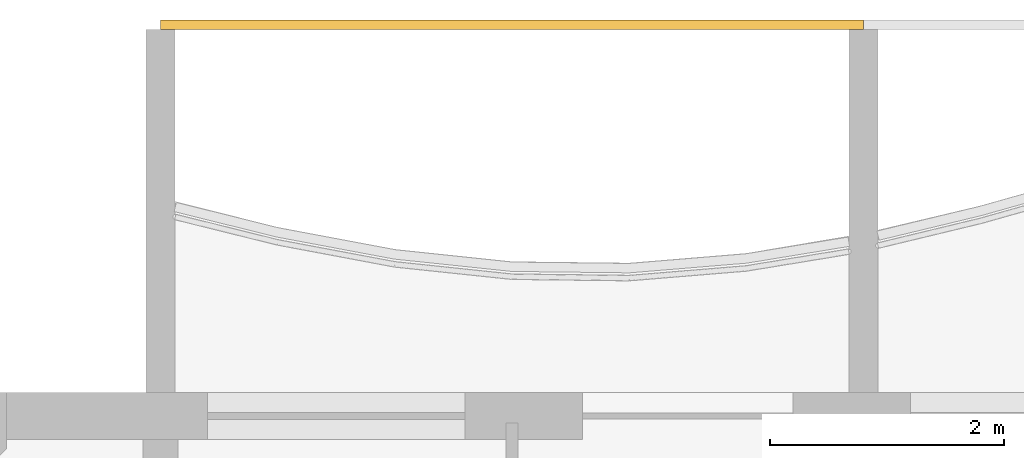
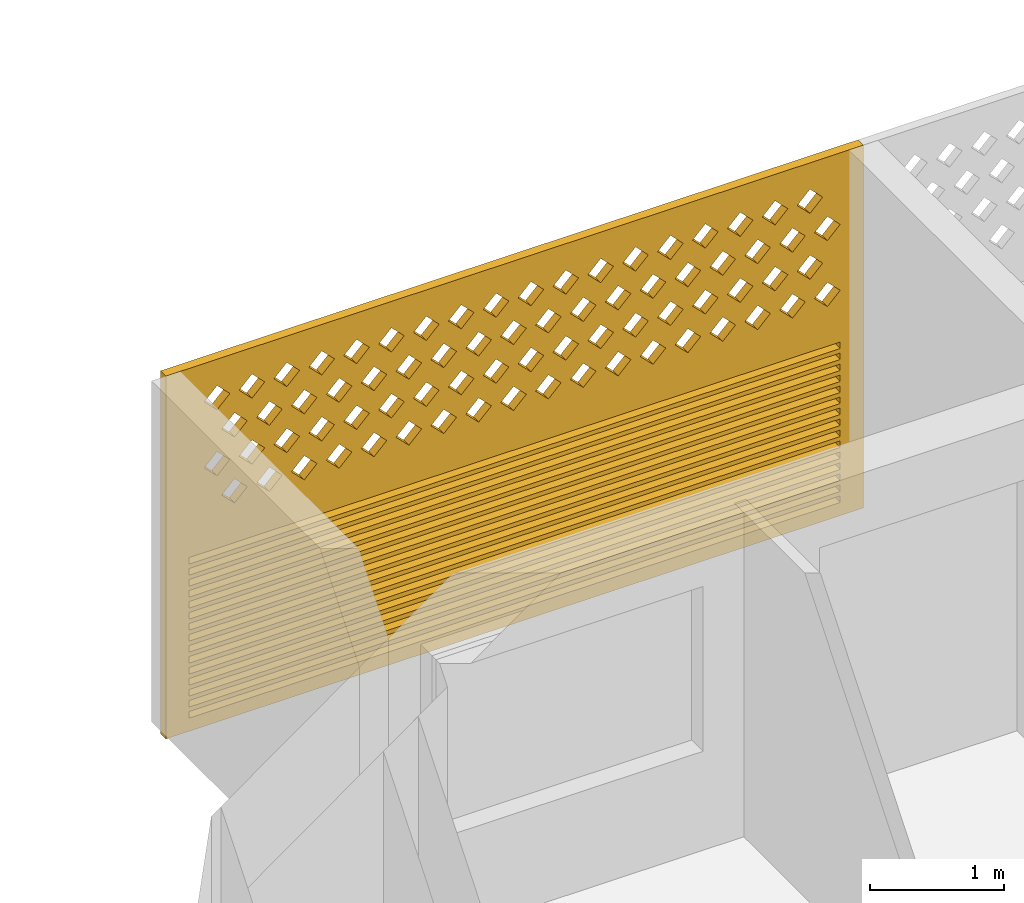
# One storey, part 16 of 26: 1 covering.
"""IFC4 building model written with IfcOpenShell, lengths in metres."""

from ifc_helpers import new_model, si_unit, direction, frame, origin, place, context, subcontext, project, spatial, polyline, outline, extrude, source, transform, mapped, material, material_profile, profile_set, type_object, element, save


model = new_model("IFC4")

# Units and contexts
model_context = context("Model", 3, precision=1e-05, world=origin(), true_north=direction((0.0, 1.0)))
body_context = subcontext(model_context, "Body", "Model", "MODEL_VIEW")
ifc_project = project(units=[si_unit("LENGTHUNIT", "METRE"), si_unit("AREAUNIT", "SQUARE_METRE"), si_unit("VOLUMEUNIT", "CUBIC_METRE"), si_unit("PLANEANGLEUNIT", "RADIAN"), si_unit("MASSUNIT", "GRAM", prefix="KILO")], contexts=[model_context])

# Site, building, storey
site_placement = place(None, origin())
site = spatial("IfcSite", under=ifc_project, at=site_placement, CompositionType="ELEMENT")
building_placement = place(site_placement, origin())
building = spatial("IfcBuilding", under=site, at=building_placement, Name="Poui Terraces", CompositionType="ELEMENT")
storey_placement = place(building_placement, frame((0.0, 0.0, 162.0)))
storey = spatial("IfcBuildingStorey", under=building, at=storey_placement, Name="L45", CompositionType="ELEMENT", Elevation=162.0)

# Covering
ifc_material = material(Name="Terracotta screen", Category="masonry")
ifc_material_profile = material_profile(ifc_material, outline(polyline([(-3.0, -1.64990234375), (3.0, -1.64990234375), (3.0, 1.64990234375), (-3.0, 1.64990234375), (-3.0, -1.64990234375)]), holes=[polyline([(-2.800048828125, 0.39990234375), (-2.68994140625, 0.2900390625), (-2.580078125, 0.39990234375), (-2.68994140625, 0.510009765625), (-2.800048828125, 0.39990234375)]), polyline([(-2.5, 0.39990234375), (-2.389892578125, 0.2900390625), (-2.280029296875, 0.39990234375), (-2.389892578125, 0.510009765625), (-2.5, 0.39990234375)]), polyline([(-2.199951171875, 0.39990234375), (-2.090087890625, 0.2900390625), (-1.97998046875, 0.39990234375), (-2.090087890625, 0.510009765625), (-2.199951171875, 0.39990234375)]), polyline([(-1.89990234375, 0.39990234375), (-1.7900390625, 0.2900390625), (-1.679931640625, 0.39990234375), (-1.7900390625, 0.510009765625), (-1.89990234375, 0.39990234375)]), polyline([(-1.60009765625, 0.39990234375), (-1.489990234375, 0.2900390625), (-1.3798828125, 0.39990234375), (-1.489990234375, 0.510009765625), (-1.60009765625, 0.39990234375)]), polyline([(-1.300048828125, 0.39990234375), (-1.18994140625, 0.2900390625), (-1.080078125, 0.39990234375), (-1.18994140625, 0.510009765625), (-1.300048828125, 0.39990234375)]), polyline([(-1.0, 0.39990234375), (-0.889892578125, 0.2900390625), (-0.780029296875, 0.39990234375), (-0.889892578125, 0.510009765625), (-1.0, 0.39990234375)]), polyline([(-0.699951171875, 0.39990234375), (-0.590087890625, 0.2900390625), (-0.47998046875, 0.39990234375), (-0.590087890625, 0.510009765625), (-0.699951171875, 0.39990234375)]), polyline([(-0.39990234375, 0.39990234375), (-0.2900390625, 0.2900390625), (-0.179931640625, 0.39990234375), (-0.2900390625, 0.510009765625), (-0.39990234375, 0.39990234375)]), polyline([(-0.10009765625, 0.39990234375), (0.010009765625, 0.2900390625), (0.1201171875, 0.39990234375), (0.010009765625, 0.510009765625), (-0.10009765625, 0.39990234375)]), polyline([(0.199951171875, 0.39990234375), (0.31005859375, 0.2900390625), (0.419921875, 0.39990234375), (0.31005859375, 0.510009765625), (0.199951171875, 0.39990234375)]), polyline([(0.5, 0.39990234375), (0.610107421875, 0.2900390625), (0.719970703125, 0.39990234375), (0.610107421875, 0.510009765625), (0.5, 0.39990234375)]), polyline([(0.800048828125, 0.39990234375), (0.909912109375, 0.2900390625), (1.02001953125, 0.39990234375), (0.909912109375, 0.510009765625), (0.800048828125, 0.39990234375)]), polyline([(1.10009765625, 0.39990234375), (1.2099609375, 0.2900390625), (1.320068359375, 0.39990234375), (1.2099609375, 0.510009765625), (1.10009765625, 0.39990234375)]), polyline([(1.39990234375, 0.39990234375), (1.510009765625, 0.2900390625), (1.6201171875, 0.39990234375), (1.510009765625, 0.510009765625), (1.39990234375, 0.39990234375)]), polyline([(1.699951171875, 0.39990234375), (1.81005859375, 0.2900390625), (1.919921875, 0.39990234375), (1.81005859375, 0.510009765625), (1.699951171875, 0.39990234375)]), polyline([(2.0, 0.39990234375), (2.110107421875, 0.2900390625), (2.219970703125, 0.39990234375), (2.110107421875, 0.510009765625), (2.0, 0.39990234375)]), polyline([(2.300048828125, 0.39990234375), (2.409912109375, 0.2900390625), (2.52001953125, 0.39990234375), (2.409912109375, 0.510009765625), (2.300048828125, 0.39990234375)]), polyline([(-2.64990234375, 0.699951171875), (-2.5400390625, 0.590087890625), (-2.429931640625, 0.699951171875), (-2.5400390625, 0.81005859375), (-2.64990234375, 0.699951171875)]), polyline([(-2.35009765625, 0.699951171875), (-2.239990234375, 0.590087890625), (-2.1298828125, 0.699951171875), (-2.239990234375, 0.81005859375), (-2.35009765625, 0.699951171875)]), polyline([(-2.050048828125, 0.699951171875), (-1.93994140625, 0.590087890625), (-1.830078125, 0.699951171875), (-1.93994140625, 0.81005859375), (-2.050048828125, 0.699951171875)]), polyline([(-1.75, 0.699951171875), (-1.639892578125, 0.590087890625), (-1.530029296875, 0.699951171875), (-1.639892578125, 0.81005859375), (-1.75, 0.699951171875)]), polyline([(-1.449951171875, 0.699951171875), (-1.340087890625, 0.590087890625), (-1.22998046875, 0.699951171875), (-1.340087890625, 0.81005859375), (-1.449951171875, 0.699951171875)]), polyline([(-1.14990234375, 0.699951171875), (-1.0400390625, 0.590087890625), (-0.929931640625, 0.699951171875), (-1.0400390625, 0.81005859375), (-1.14990234375, 0.699951171875)]), polyline([(-0.85009765625, 0.699951171875), (-0.739990234375, 0.590087890625), (-0.6298828125, 0.699951171875), (-0.739990234375, 0.81005859375), (-0.85009765625, 0.699951171875)]), polyline([(-0.550048828125, 0.699951171875), (-0.43994140625, 0.590087890625), (-0.330078125, 0.699951171875), (-0.43994140625, 0.81005859375), (-0.550048828125, 0.699951171875)]), polyline([(-0.25, 0.699951171875), (-0.139892578125, 0.590087890625), (-0.030029296875, 0.699951171875), (-0.139892578125, 0.81005859375), (-0.25, 0.699951171875)]), polyline([(0.050048828125, 0.699951171875), (0.159912109375, 0.590087890625), (0.27001953125, 0.699951171875), (0.159912109375, 0.81005859375), (0.050048828125, 0.699951171875)]), polyline([(0.35009765625, 0.699951171875), (0.4599609375, 0.590087890625), (0.570068359375, 0.699951171875), (0.4599609375, 0.81005859375), (0.35009765625, 0.699951171875)]), polyline([(0.64990234375, 0.699951171875), (0.760009765625, 0.590087890625), (0.8701171875, 0.699951171875), (0.760009765625, 0.81005859375), (0.64990234375, 0.699951171875)]), polyline([(0.949951171875, 0.699951171875), (1.06005859375, 0.590087890625), (1.169921875, 0.699951171875), (1.06005859375, 0.81005859375), (0.949951171875, 0.699951171875)]), polyline([(1.25, 0.699951171875), (1.360107421875, 0.590087890625), (1.469970703125, 0.699951171875), (1.360107421875, 0.81005859375), (1.25, 0.699951171875)]), polyline([(1.550048828125, 0.699951171875), (1.659912109375, 0.590087890625), (1.77001953125, 0.699951171875), (1.659912109375, 0.81005859375), (1.550048828125, 0.699951171875)]), polyline([(1.85009765625, 0.699951171875), (1.9599609375, 0.590087890625), (2.070068359375, 0.699951171875), (1.9599609375, 0.81005859375), (1.85009765625, 0.699951171875)]), polyline([(2.14990234375, 0.699951171875), (2.260009765625, 0.590087890625), (2.3701171875, 0.699951171875), (2.260009765625, 0.81005859375), (2.14990234375, 0.699951171875)]), polyline([(2.449951171875, 0.699951171875), (2.56005859375, 0.590087890625), (2.669921875, 0.699951171875), (2.56005859375, 0.81005859375), (2.449951171875, 0.699951171875)]), polyline([(-2.800048828125, 1.0), (-2.68994140625, 0.889892578125), (-2.580078125, 1.0), (-2.68994140625, 1.110107421875), (-2.800048828125, 1.0)]), polyline([(-2.5, 1.0), (-2.389892578125, 0.889892578125), (-2.280029296875, 1.0), (-2.389892578125, 1.110107421875), (-2.5, 1.0)]), polyline([(-2.199951171875, 1.0), (-2.090087890625, 0.889892578125), (-1.97998046875, 1.0), (-2.090087890625, 1.110107421875), (-2.199951171875, 1.0)]), polyline([(-1.89990234375, 1.0), (-1.7900390625, 0.889892578125), (-1.679931640625, 1.0), (-1.7900390625, 1.110107421875), (-1.89990234375, 1.0)]), polyline([(-1.60009765625, 1.0), (-1.489990234375, 0.889892578125), (-1.3798828125, 1.0), (-1.489990234375, 1.110107421875), (-1.60009765625, 1.0)]), polyline([(-1.300048828125, 1.0), (-1.18994140625, 0.889892578125), (-1.080078125, 1.0), (-1.18994140625, 1.110107421875), (-1.300048828125, 1.0)]), polyline([(-1.0, 1.0), (-0.889892578125, 0.889892578125), (-0.780029296875, 1.0), (-0.889892578125, 1.110107421875), (-1.0, 1.0)]), polyline([(-0.699951171875, 1.0), (-0.590087890625, 0.889892578125), (-0.47998046875, 1.0), (-0.590087890625, 1.110107421875), (-0.699951171875, 1.0)]), polyline([(-0.39990234375, 1.0), (-0.2900390625, 0.889892578125), (-0.179931640625, 1.0), (-0.2900390625, 1.110107421875), (-0.39990234375, 1.0)]), polyline([(-0.10009765625, 1.0), (0.010009765625, 0.889892578125), (0.1201171875, 1.0), (0.010009765625, 1.110107421875), (-0.10009765625, 1.0)]), polyline([(0.199951171875, 1.0), (0.31005859375, 0.889892578125), (0.419921875, 1.0), (0.31005859375, 1.110107421875), (0.199951171875, 1.0)]), polyline([(0.5, 1.0), (0.610107421875, 0.889892578125), (0.719970703125, 1.0), (0.610107421875, 1.110107421875), (0.5, 1.0)]), polyline([(0.800048828125, 1.0), (0.909912109375, 0.889892578125), (1.02001953125, 1.0), (0.909912109375, 1.110107421875), (0.800048828125, 1.0)]), polyline([(1.10009765625, 1.0), (1.2099609375, 0.889892578125), (1.320068359375, 1.0), (1.2099609375, 1.110107421875), (1.10009765625, 1.0)]), polyline([(1.39990234375, 1.0), (1.510009765625, 0.889892578125), (1.6201171875, 1.0), (1.510009765625, 1.110107421875), (1.39990234375, 1.0)]), polyline([(1.699951171875, 1.0), (1.81005859375, 0.889892578125), (1.919921875, 1.0), (1.81005859375, 1.110107421875), (1.699951171875, 1.0)]), polyline([(2.0, 1.0), (2.110107421875, 0.889892578125), (2.219970703125, 1.0), (2.110107421875, 1.110107421875), (2.0, 1.0)]), polyline([(2.300048828125, 1.0), (2.409912109375, 0.889892578125), (2.52001953125, 1.0), (2.409912109375, 1.110107421875), (2.300048828125, 1.0)]), polyline([(-2.64990234375, 1.300048828125), (-2.5400390625, 1.18994140625), (-2.429931640625, 1.300048828125), (-2.5400390625, 1.409912109375), (-2.64990234375, 1.300048828125)]), polyline([(-2.35009765625, 1.300048828125), (-2.239990234375, 1.18994140625), (-2.1298828125, 1.300048828125), (-2.239990234375, 1.409912109375), (-2.35009765625, 1.300048828125)]), polyline([(-2.050048828125, 1.300048828125), (-1.93994140625, 1.18994140625), (-1.830078125, 1.300048828125), (-1.93994140625, 1.409912109375), (-2.050048828125, 1.300048828125)]), polyline([(-1.75, 1.300048828125), (-1.639892578125, 1.18994140625), (-1.530029296875, 1.300048828125), (-1.639892578125, 1.409912109375), (-1.75, 1.300048828125)]), polyline([(-1.449951171875, 1.300048828125), (-1.340087890625, 1.18994140625), (-1.22998046875, 1.300048828125), (-1.340087890625, 1.409912109375), (-1.449951171875, 1.300048828125)]), polyline([(-1.14990234375, 1.300048828125), (-1.0400390625, 1.18994140625), (-0.929931640625, 1.300048828125), (-1.0400390625, 1.409912109375), (-1.14990234375, 1.300048828125)]), polyline([(-0.85009765625, 1.300048828125), (-0.739990234375, 1.18994140625), (-0.6298828125, 1.300048828125), (-0.739990234375, 1.409912109375), (-0.85009765625, 1.300048828125)]), polyline([(-0.550048828125, 1.300048828125), (-0.43994140625, 1.18994140625), (-0.330078125, 1.300048828125), (-0.43994140625, 1.409912109375), (-0.550048828125, 1.300048828125)]), polyline([(-0.25, 1.300048828125), (-0.139892578125, 1.18994140625), (-0.030029296875, 1.300048828125), (-0.139892578125, 1.409912109375), (-0.25, 1.300048828125)]), polyline([(0.050048828125, 1.300048828125), (0.159912109375, 1.18994140625), (0.27001953125, 1.300048828125), (0.159912109375, 1.409912109375), (0.050048828125, 1.300048828125)]), polyline([(0.35009765625, 1.300048828125), (0.4599609375, 1.18994140625), (0.570068359375, 1.300048828125), (0.4599609375, 1.409912109375), (0.35009765625, 1.300048828125)]), polyline([(0.64990234375, 1.300048828125), (0.760009765625, 1.18994140625), (0.8701171875, 1.300048828125), (0.760009765625, 1.409912109375), (0.64990234375, 1.300048828125)]), polyline([(0.949951171875, 1.300048828125), (1.06005859375, 1.18994140625), (1.169921875, 1.300048828125), (1.06005859375, 1.409912109375), (0.949951171875, 1.300048828125)]), polyline([(1.25, 1.300048828125), (1.360107421875, 1.18994140625), (1.469970703125, 1.300048828125), (1.360107421875, 1.409912109375), (1.25, 1.300048828125)]), polyline([(1.550048828125, 1.300048828125), (1.659912109375, 1.18994140625), (1.77001953125, 1.300048828125), (1.659912109375, 1.409912109375), (1.550048828125, 1.300048828125)]), polyline([(1.85009765625, 1.300048828125), (1.9599609375, 1.18994140625), (2.070068359375, 1.300048828125), (1.9599609375, 1.409912109375), (1.85009765625, 1.300048828125)]), polyline([(2.14990234375, 1.300048828125), (2.260009765625, 1.18994140625), (2.3701171875, 1.300048828125), (2.260009765625, 1.409912109375), (2.14990234375, 1.300048828125)]), polyline([(2.449951171875, 1.300048828125), (2.56005859375, 1.18994140625), (2.669921875, 1.300048828125), (2.56005859375, 1.409912109375), (2.449951171875, 1.300048828125)]), polyline([(-2.800048828125, -1.530029296875), (2.800048828125, -1.530029296875), (2.800048828125, -1.469970703125), (-2.800048828125, -1.469970703125), (-2.800048828125, -1.530029296875)]), polyline([(-2.800048828125, -1.429931640625), (2.800048828125, -1.429931640625), (2.800048828125, -1.3701171875), (-2.800048828125, -1.3701171875), (-2.800048828125, -1.429931640625)]), polyline([(-2.800048828125, -1.330078125), (2.800048828125, -1.330078125), (2.800048828125, -1.27001953125), (-2.800048828125, -1.27001953125), (-2.800048828125, -1.330078125)]), polyline([(-2.800048828125, -1.22998046875), (2.800048828125, -1.22998046875), (2.800048828125, -1.169921875), (-2.800048828125, -1.169921875), (-2.800048828125, -1.22998046875)]), polyline([(-2.800048828125, -1.1298828125), (2.800048828125, -1.1298828125), (2.800048828125, -1.070068359375), (-2.800048828125, -1.070068359375), (-2.800048828125, -1.1298828125)]), polyline([(-2.800048828125, -1.030029296875), (2.800048828125, -1.030029296875), (2.800048828125, -0.969970703125), (-2.800048828125, -0.969970703125), (-2.800048828125, -1.030029296875)]), polyline([(-2.800048828125, -0.929931640625), (2.800048828125, -0.929931640625), (2.800048828125, -0.8701171875), (-2.800048828125, -0.8701171875), (-2.800048828125, -0.929931640625)]), polyline([(-2.800048828125, -0.830078125), (2.800048828125, -0.830078125), (2.800048828125, -0.77001953125), (-2.800048828125, -0.77001953125), (-2.800048828125, -0.830078125)]), polyline([(-2.800048828125, -0.72998046875), (2.800048828125, -0.72998046875), (2.800048828125, -0.669921875), (-2.800048828125, -0.669921875), (-2.800048828125, -0.72998046875)]), polyline([(-2.800048828125, -0.6298828125), (2.800048828125, -0.6298828125), (2.800048828125, -0.570068359375), (-2.800048828125, -0.570068359375), (-2.800048828125, -0.6298828125)]), polyline([(-2.800048828125, -0.530029296875), (2.800048828125, -0.530029296875), (2.800048828125, -0.469970703125), (-2.800048828125, -0.469970703125), (-2.800048828125, -0.530029296875)]), polyline([(-2.800048828125, -0.429931640625), (2.800048828125, -0.429931640625), (2.800048828125, -0.3701171875), (-2.800048828125, -0.3701171875), (-2.800048828125, -0.429931640625)]), polyline([(-2.800048828125, -0.330078125), (2.800048828125, -0.330078125), (2.800048828125, -0.27001953125), (-2.800048828125, -0.27001953125), (-2.800048828125, -0.330078125)]), polyline([(-2.800048828125, -0.22998046875), (2.800048828125, -0.22998046875), (2.800048828125, -0.169921875), (-2.800048828125, -0.169921875), (-2.800048828125, -0.22998046875)]), polyline([(-2.800048828125, -0.1298828125), (2.800048828125, -0.1298828125), (2.800048828125, -0.070068359375), (-2.800048828125, -0.070068359375), (-2.800048828125, -0.1298828125)])]), Name="TERRACOTTA SCREEN AND JALOUSIE LOUVRE 6000X3300")
ifc_profile_set = profile_set([ifc_material_profile], Name="Terracotta screen")
covering_type = type_object("IfcCoveringType", Name="TERRACOTTA SCREEN AND JALOUSIE LOUVRE 6000X3300", PredefinedType="CLADDING", material=ifc_profile_set)
shared_shape = source(origin(), body_context, "Body", "SweptSolid", [
    extrude(outline(polyline([(-3.0, -1.64990234375), (3.0, -1.64990234375), (3.0, 1.64990234375), (-3.0, 1.64990234375), (-3.0, -1.64990234375)]), holes=[polyline([(-2.800048828125, 0.39990234375), (-2.68994140625, 0.2900390625), (-2.580078125, 0.39990234375), (-2.68994140625, 0.510009765625), (-2.800048828125, 0.39990234375)]), polyline([(-2.5, 0.39990234375), (-2.389892578125, 0.2900390625), (-2.280029296875, 0.39990234375), (-2.389892578125, 0.510009765625), (-2.5, 0.39990234375)]), polyline([(-2.199951171875, 0.39990234375), (-2.090087890625, 0.2900390625), (-1.97998046875, 0.39990234375), (-2.090087890625, 0.510009765625), (-2.199951171875, 0.39990234375)]), polyline([(-1.89990234375, 0.39990234375), (-1.7900390625, 0.2900390625), (-1.679931640625, 0.39990234375), (-1.7900390625, 0.510009765625), (-1.89990234375, 0.39990234375)]), polyline([(-1.60009765625, 0.39990234375), (-1.489990234375, 0.2900390625), (-1.3798828125, 0.39990234375), (-1.489990234375, 0.510009765625), (-1.60009765625, 0.39990234375)]), polyline([(-1.300048828125, 0.39990234375), (-1.18994140625, 0.2900390625), (-1.080078125, 0.39990234375), (-1.18994140625, 0.510009765625), (-1.300048828125, 0.39990234375)]), polyline([(-1.0, 0.39990234375), (-0.889892578125, 0.2900390625), (-0.780029296875, 0.39990234375), (-0.889892578125, 0.510009765625), (-1.0, 0.39990234375)]), polyline([(-0.699951171875, 0.39990234375), (-0.590087890625, 0.2900390625), (-0.47998046875, 0.39990234375), (-0.590087890625, 0.510009765625), (-0.699951171875, 0.39990234375)]), polyline([(-0.39990234375, 0.39990234375), (-0.2900390625, 0.2900390625), (-0.179931640625, 0.39990234375), (-0.2900390625, 0.510009765625), (-0.39990234375, 0.39990234375)]), polyline([(-0.10009765625, 0.39990234375), (0.010009765625, 0.2900390625), (0.1201171875, 0.39990234375), (0.010009765625, 0.510009765625), (-0.10009765625, 0.39990234375)]), polyline([(0.199951171875, 0.39990234375), (0.31005859375, 0.2900390625), (0.419921875, 0.39990234375), (0.31005859375, 0.510009765625), (0.199951171875, 0.39990234375)]), polyline([(0.5, 0.39990234375), (0.610107421875, 0.2900390625), (0.719970703125, 0.39990234375), (0.610107421875, 0.510009765625), (0.5, 0.39990234375)]), polyline([(0.800048828125, 0.39990234375), (0.909912109375, 0.2900390625), (1.02001953125, 0.39990234375), (0.909912109375, 0.510009765625), (0.800048828125, 0.39990234375)]), polyline([(1.10009765625, 0.39990234375), (1.2099609375, 0.2900390625), (1.320068359375, 0.39990234375), (1.2099609375, 0.510009765625), (1.10009765625, 0.39990234375)]), polyline([(1.39990234375, 0.39990234375), (1.510009765625, 0.2900390625), (1.6201171875, 0.39990234375), (1.510009765625, 0.510009765625), (1.39990234375, 0.39990234375)]), polyline([(1.699951171875, 0.39990234375), (1.81005859375, 0.2900390625), (1.919921875, 0.39990234375), (1.81005859375, 0.510009765625), (1.699951171875, 0.39990234375)]), polyline([(2.0, 0.39990234375), (2.110107421875, 0.2900390625), (2.219970703125, 0.39990234375), (2.110107421875, 0.510009765625), (2.0, 0.39990234375)]), polyline([(2.300048828125, 0.39990234375), (2.409912109375, 0.2900390625), (2.52001953125, 0.39990234375), (2.409912109375, 0.510009765625), (2.300048828125, 0.39990234375)]), polyline([(-2.64990234375, 0.699951171875), (-2.5400390625, 0.590087890625), (-2.429931640625, 0.699951171875), (-2.5400390625, 0.81005859375), (-2.64990234375, 0.699951171875)]), polyline([(-2.35009765625, 0.699951171875), (-2.239990234375, 0.590087890625), (-2.1298828125, 0.699951171875), (-2.239990234375, 0.81005859375), (-2.35009765625, 0.699951171875)]), polyline([(-2.050048828125, 0.699951171875), (-1.93994140625, 0.590087890625), (-1.830078125, 0.699951171875), (-1.93994140625, 0.81005859375), (-2.050048828125, 0.699951171875)]), polyline([(-1.75, 0.699951171875), (-1.639892578125, 0.590087890625), (-1.530029296875, 0.699951171875), (-1.639892578125, 0.81005859375), (-1.75, 0.699951171875)]), polyline([(-1.449951171875, 0.699951171875), (-1.340087890625, 0.590087890625), (-1.22998046875, 0.699951171875), (-1.340087890625, 0.81005859375), (-1.449951171875, 0.699951171875)]), polyline([(-1.14990234375, 0.699951171875), (-1.0400390625, 0.590087890625), (-0.929931640625, 0.699951171875), (-1.0400390625, 0.81005859375), (-1.14990234375, 0.699951171875)]), polyline([(-0.85009765625, 0.699951171875), (-0.739990234375, 0.590087890625), (-0.6298828125, 0.699951171875), (-0.739990234375, 0.81005859375), (-0.85009765625, 0.699951171875)]), polyline([(-0.550048828125, 0.699951171875), (-0.43994140625, 0.590087890625), (-0.330078125, 0.699951171875), (-0.43994140625, 0.81005859375), (-0.550048828125, 0.699951171875)]), polyline([(-0.25, 0.699951171875), (-0.139892578125, 0.590087890625), (-0.030029296875, 0.699951171875), (-0.139892578125, 0.81005859375), (-0.25, 0.699951171875)]), polyline([(0.050048828125, 0.699951171875), (0.159912109375, 0.590087890625), (0.27001953125, 0.699951171875), (0.159912109375, 0.81005859375), (0.050048828125, 0.699951171875)]), polyline([(0.35009765625, 0.699951171875), (0.4599609375, 0.590087890625), (0.570068359375, 0.699951171875), (0.4599609375, 0.81005859375), (0.35009765625, 0.699951171875)]), polyline([(0.64990234375, 0.699951171875), (0.760009765625, 0.590087890625), (0.8701171875, 0.699951171875), (0.760009765625, 0.81005859375), (0.64990234375, 0.699951171875)]), polyline([(0.949951171875, 0.699951171875), (1.06005859375, 0.590087890625), (1.169921875, 0.699951171875), (1.06005859375, 0.81005859375), (0.949951171875, 0.699951171875)]), polyline([(1.25, 0.699951171875), (1.360107421875, 0.590087890625), (1.469970703125, 0.699951171875), (1.360107421875, 0.81005859375), (1.25, 0.699951171875)]), polyline([(1.550048828125, 0.699951171875), (1.659912109375, 0.590087890625), (1.77001953125, 0.699951171875), (1.659912109375, 0.81005859375), (1.550048828125, 0.699951171875)]), polyline([(1.85009765625, 0.699951171875), (1.9599609375, 0.590087890625), (2.070068359375, 0.699951171875), (1.9599609375, 0.81005859375), (1.85009765625, 0.699951171875)]), polyline([(2.14990234375, 0.699951171875), (2.260009765625, 0.590087890625), (2.3701171875, 0.699951171875), (2.260009765625, 0.81005859375), (2.14990234375, 0.699951171875)]), polyline([(2.449951171875, 0.699951171875), (2.56005859375, 0.590087890625), (2.669921875, 0.699951171875), (2.56005859375, 0.81005859375), (2.449951171875, 0.699951171875)]), polyline([(-2.800048828125, 1.0), (-2.68994140625, 0.889892578125), (-2.580078125, 1.0), (-2.68994140625, 1.110107421875), (-2.800048828125, 1.0)]), polyline([(-2.5, 1.0), (-2.389892578125, 0.889892578125), (-2.280029296875, 1.0), (-2.389892578125, 1.110107421875), (-2.5, 1.0)]), polyline([(-2.199951171875, 1.0), (-2.090087890625, 0.889892578125), (-1.97998046875, 1.0), (-2.090087890625, 1.110107421875), (-2.199951171875, 1.0)]), polyline([(-1.89990234375, 1.0), (-1.7900390625, 0.889892578125), (-1.679931640625, 1.0), (-1.7900390625, 1.110107421875), (-1.89990234375, 1.0)]), polyline([(-1.60009765625, 1.0), (-1.489990234375, 0.889892578125), (-1.3798828125, 1.0), (-1.489990234375, 1.110107421875), (-1.60009765625, 1.0)]), polyline([(-1.300048828125, 1.0), (-1.18994140625, 0.889892578125), (-1.080078125, 1.0), (-1.18994140625, 1.110107421875), (-1.300048828125, 1.0)]), polyline([(-1.0, 1.0), (-0.889892578125, 0.889892578125), (-0.780029296875, 1.0), (-0.889892578125, 1.110107421875), (-1.0, 1.0)]), polyline([(-0.699951171875, 1.0), (-0.590087890625, 0.889892578125), (-0.47998046875, 1.0), (-0.590087890625, 1.110107421875), (-0.699951171875, 1.0)]), polyline([(-0.39990234375, 1.0), (-0.2900390625, 0.889892578125), (-0.179931640625, 1.0), (-0.2900390625, 1.110107421875), (-0.39990234375, 1.0)]), polyline([(-0.10009765625, 1.0), (0.010009765625, 0.889892578125), (0.1201171875, 1.0), (0.010009765625, 1.110107421875), (-0.10009765625, 1.0)]), polyline([(0.199951171875, 1.0), (0.31005859375, 0.889892578125), (0.419921875, 1.0), (0.31005859375, 1.110107421875), (0.199951171875, 1.0)]), polyline([(0.5, 1.0), (0.610107421875, 0.889892578125), (0.719970703125, 1.0), (0.610107421875, 1.110107421875), (0.5, 1.0)]), polyline([(0.800048828125, 1.0), (0.909912109375, 0.889892578125), (1.02001953125, 1.0), (0.909912109375, 1.110107421875), (0.800048828125, 1.0)]), polyline([(1.10009765625, 1.0), (1.2099609375, 0.889892578125), (1.320068359375, 1.0), (1.2099609375, 1.110107421875), (1.10009765625, 1.0)]), polyline([(1.39990234375, 1.0), (1.510009765625, 0.889892578125), (1.6201171875, 1.0), (1.510009765625, 1.110107421875), (1.39990234375, 1.0)]), polyline([(1.699951171875, 1.0), (1.81005859375, 0.889892578125), (1.919921875, 1.0), (1.81005859375, 1.110107421875), (1.699951171875, 1.0)]), polyline([(2.0, 1.0), (2.110107421875, 0.889892578125), (2.219970703125, 1.0), (2.110107421875, 1.110107421875), (2.0, 1.0)]), polyline([(2.300048828125, 1.0), (2.409912109375, 0.889892578125), (2.52001953125, 1.0), (2.409912109375, 1.110107421875), (2.300048828125, 1.0)]), polyline([(-2.64990234375, 1.300048828125), (-2.5400390625, 1.18994140625), (-2.429931640625, 1.300048828125), (-2.5400390625, 1.409912109375), (-2.64990234375, 1.300048828125)]), polyline([(-2.35009765625, 1.300048828125), (-2.239990234375, 1.18994140625), (-2.1298828125, 1.300048828125), (-2.239990234375, 1.409912109375), (-2.35009765625, 1.300048828125)]), polyline([(-2.050048828125, 1.300048828125), (-1.93994140625, 1.18994140625), (-1.830078125, 1.300048828125), (-1.93994140625, 1.409912109375), (-2.050048828125, 1.300048828125)]), polyline([(-1.75, 1.300048828125), (-1.639892578125, 1.18994140625), (-1.530029296875, 1.300048828125), (-1.639892578125, 1.409912109375), (-1.75, 1.300048828125)]), polyline([(-1.449951171875, 1.300048828125), (-1.340087890625, 1.18994140625), (-1.22998046875, 1.300048828125), (-1.340087890625, 1.409912109375), (-1.449951171875, 1.300048828125)]), polyline([(-1.14990234375, 1.300048828125), (-1.0400390625, 1.18994140625), (-0.929931640625, 1.300048828125), (-1.0400390625, 1.409912109375), (-1.14990234375, 1.300048828125)]), polyline([(-0.85009765625, 1.300048828125), (-0.739990234375, 1.18994140625), (-0.6298828125, 1.300048828125), (-0.739990234375, 1.409912109375), (-0.85009765625, 1.300048828125)]), polyline([(-0.550048828125, 1.300048828125), (-0.43994140625, 1.18994140625), (-0.330078125, 1.300048828125), (-0.43994140625, 1.409912109375), (-0.550048828125, 1.300048828125)]), polyline([(-0.25, 1.300048828125), (-0.139892578125, 1.18994140625), (-0.030029296875, 1.300048828125), (-0.139892578125, 1.409912109375), (-0.25, 1.300048828125)]), polyline([(0.050048828125, 1.300048828125), (0.159912109375, 1.18994140625), (0.27001953125, 1.300048828125), (0.159912109375, 1.409912109375), (0.050048828125, 1.300048828125)]), polyline([(0.35009765625, 1.300048828125), (0.4599609375, 1.18994140625), (0.570068359375, 1.300048828125), (0.4599609375, 1.409912109375), (0.35009765625, 1.300048828125)]), polyline([(0.64990234375, 1.300048828125), (0.760009765625, 1.18994140625), (0.8701171875, 1.300048828125), (0.760009765625, 1.409912109375), (0.64990234375, 1.300048828125)]), polyline([(0.949951171875, 1.300048828125), (1.06005859375, 1.18994140625), (1.169921875, 1.300048828125), (1.06005859375, 1.409912109375), (0.949951171875, 1.300048828125)]), polyline([(1.25, 1.300048828125), (1.360107421875, 1.18994140625), (1.469970703125, 1.300048828125), (1.360107421875, 1.409912109375), (1.25, 1.300048828125)]), polyline([(1.550048828125, 1.300048828125), (1.659912109375, 1.18994140625), (1.77001953125, 1.300048828125), (1.659912109375, 1.409912109375), (1.550048828125, 1.300048828125)]), polyline([(1.85009765625, 1.300048828125), (1.9599609375, 1.18994140625), (2.070068359375, 1.300048828125), (1.9599609375, 1.409912109375), (1.85009765625, 1.300048828125)]), polyline([(2.14990234375, 1.300048828125), (2.260009765625, 1.18994140625), (2.3701171875, 1.300048828125), (2.260009765625, 1.409912109375), (2.14990234375, 1.300048828125)]), polyline([(2.449951171875, 1.300048828125), (2.56005859375, 1.18994140625), (2.669921875, 1.300048828125), (2.56005859375, 1.409912109375), (2.449951171875, 1.300048828125)]), polyline([(-2.800048828125, -1.530029296875), (2.800048828125, -1.530029296875), (2.800048828125, -1.469970703125), (-2.800048828125, -1.469970703125), (-2.800048828125, -1.530029296875)]), polyline([(-2.800048828125, -1.429931640625), (2.800048828125, -1.429931640625), (2.800048828125, -1.3701171875), (-2.800048828125, -1.3701171875), (-2.800048828125, -1.429931640625)]), polyline([(-2.800048828125, -1.330078125), (2.800048828125, -1.330078125), (2.800048828125, -1.27001953125), (-2.800048828125, -1.27001953125), (-2.800048828125, -1.330078125)]), polyline([(-2.800048828125, -1.22998046875), (2.800048828125, -1.22998046875), (2.800048828125, -1.169921875), (-2.800048828125, -1.169921875), (-2.800048828125, -1.22998046875)]), polyline([(-2.800048828125, -1.1298828125), (2.800048828125, -1.1298828125), (2.800048828125, -1.070068359375), (-2.800048828125, -1.070068359375), (-2.800048828125, -1.1298828125)]), polyline([(-2.800048828125, -1.030029296875), (2.800048828125, -1.030029296875), (2.800048828125, -0.969970703125), (-2.800048828125, -0.969970703125), (-2.800048828125, -1.030029296875)]), polyline([(-2.800048828125, -0.929931640625), (2.800048828125, -0.929931640625), (2.800048828125, -0.8701171875), (-2.800048828125, -0.8701171875), (-2.800048828125, -0.929931640625)]), polyline([(-2.800048828125, -0.830078125), (2.800048828125, -0.830078125), (2.800048828125, -0.77001953125), (-2.800048828125, -0.77001953125), (-2.800048828125, -0.830078125)]), polyline([(-2.800048828125, -0.72998046875), (2.800048828125, -0.72998046875), (2.800048828125, -0.669921875), (-2.800048828125, -0.669921875), (-2.800048828125, -0.72998046875)]), polyline([(-2.800048828125, -0.6298828125), (2.800048828125, -0.6298828125), (2.800048828125, -0.570068359375), (-2.800048828125, -0.570068359375), (-2.800048828125, -0.6298828125)]), polyline([(-2.800048828125, -0.530029296875), (2.800048828125, -0.530029296875), (2.800048828125, -0.469970703125), (-2.800048828125, -0.469970703125), (-2.800048828125, -0.530029296875)]), polyline([(-2.800048828125, -0.429931640625), (2.800048828125, -0.429931640625), (2.800048828125, -0.3701171875), (-2.800048828125, -0.3701171875), (-2.800048828125, -0.429931640625)]), polyline([(-2.800048828125, -0.330078125), (2.800048828125, -0.330078125), (2.800048828125, -0.27001953125), (-2.800048828125, -0.27001953125), (-2.800048828125, -0.330078125)]), polyline([(-2.800048828125, -0.22998046875), (2.800048828125, -0.22998046875), (2.800048828125, -0.169921875), (-2.800048828125, -0.169921875), (-2.800048828125, -0.22998046875)]), polyline([(-2.800048828125, -0.1298828125), (2.800048828125, -0.1298828125), (2.800048828125, -0.070068359375), (-2.800048828125, -0.070068359375), (-2.800048828125, -0.1298828125)])]), origin(), (0.0, 0.0, 1.0), 0.080078125),
])
covering_placement = place(storey_placement, frame((27.0, 45.699951171875, 1.449951171875), z_axis=(0.0, 1.0, 0.0), x_axis=(-1.0, 0.0, 0.0)))
element("IfcCovering", 1, at=covering_placement, inside=storey, type_object=covering_type, Name="SOLAR SCREEN AND JALOUSIE LOUVRE", PredefinedType="CLADDING", context=body_context, shape_type="MappedRepresentation", body=[
    mapped(shared_shape, transform((0.0, 0.0, 0.0))),
])

save(model, "model.ifc")
